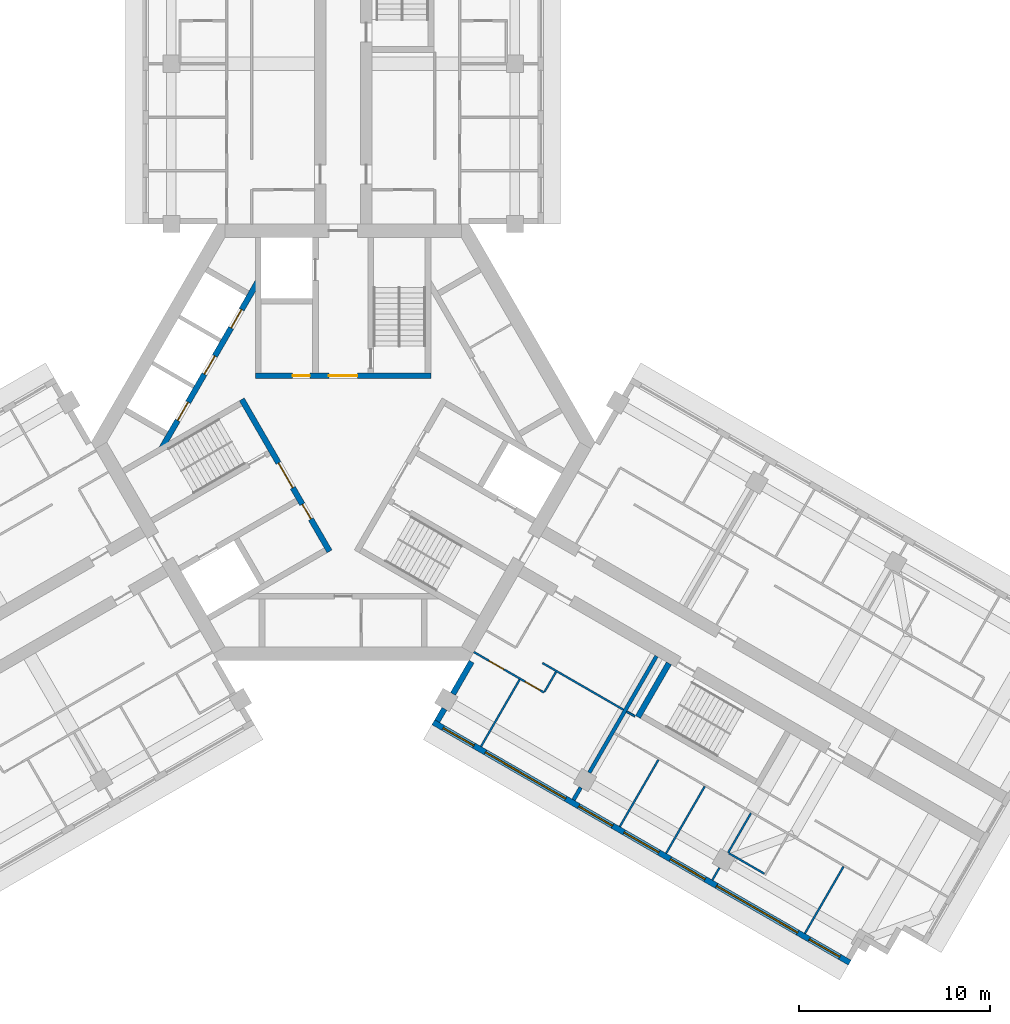
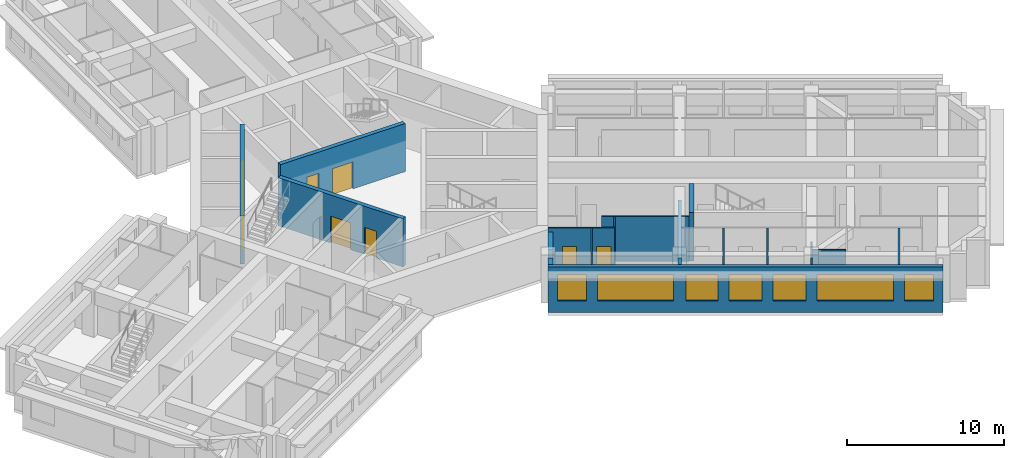
# One storey, part 4 of 11: 20 walls, 9 doors, 7 windows, 16 openings.
"""IFC4 building model written with IfcOpenShell, lengths in metres."""

from ifc_helpers import new_model, si_unit, direction, frame, frame_2d, origin, place, context, subcontext, project, spatial, rectangle, extrude, material, layer, layer_set, type_object, element, fill, save


model = new_model("IFC4")

# Units and contexts
model_context = context("Model", 3, precision=1e-05, world=origin(), true_north=direction((0.0, 1.0)))
body_context = subcontext(model_context, "Body", "Model", "MODEL_VIEW")
ifc_project = project(units=[si_unit("LENGTHUNIT", "METRE"), si_unit("AREAUNIT", "SQUARE_METRE"), si_unit("VOLUMEUNIT", "CUBIC_METRE"), si_unit("PLANEANGLEUNIT", "RADIAN"), si_unit("MASSUNIT", "GRAM", prefix="KILO")], contexts=[model_context])

# Site, building, storey
site_placement = place(None, origin())
site = spatial("IfcSite", under=ifc_project, at=site_placement, CompositionType="ELEMENT")
building_placement = place(site_placement, origin())
building = spatial("IfcBuilding", under=site, at=building_placement, Name="Impinga Residences", CompositionType="ELEMENT")
storey_placement = place(building_placement, frame((0.0, 0.0, 244.75)))
storey = spatial("IfcBuildingStorey", under=building, at=storey_placement, Name="L61", CompositionType="ELEMENT", Elevation=244.75)

# Wall, openings, windows
ifc_material_1 = material(Name="Terracotta rainscreen on blockwork", Category="masonry")
ifc_layer_1 = layer(ifc_material_1, 0.300048828125)
ifc_layer_set_1 = layer_set([ifc_layer_1], Name="EW1 external wall, terracotta rainscreen on blockwork 300")
wall_type_1 = type_object("IfcWallType", Name="EW1 external wall, terracotta rainscreen on blockwork 300", PredefinedType="SOLIDWALL", material=ifc_layer_set_1)
wall_1_placement = place(storey_placement, frame((26.548828125, -27.279052734375, 0.0), z_axis=(0.0, 0.0, 1.0), x_axis=(-0.866026832479, 0.499997525421, 0.0)))
wall_1 = element("IfcWall", 1, at=wall_1_placement, inside=storey, type_object=wall_type_1, Name="External wall EW1 L61", PredefinedType="SOLIDWALL", context=body_context, shape_type="SweptSolid", body=[
    extrude(rectangle(XDim=25.199951171875, YDim=0.300048828125, at=frame_2d((12.60009765625, 0.0))), origin(), (0.0, 0.0, 1.0), 3.530029296875),
])
opening_1_placement = place(wall_1_placement, frame((0.60009765625, 0.0, 0.89990234375)))
opening_1 = element("IfcOpeningElement", 2, at=opening_1_placement, cuts=wall_1, Name="Opening W15", PredefinedType="OPENING", context=body_context, shape_type="SweptSolid", body=[
    extrude(rectangle(XDim=1.85009765625, YDim=2.050048828125, at=frame_2d((0.925048828125, 1.02490234375))), frame((0.0, 0.159912109375, 0.0), z_axis=(0.0, -1.0, 0.0), x_axis=(1.0, 0.0, 0.0)), (0.0, 0.0, 1.0), 0.320068359375),
])
opening_2_placement = place(wall_1_placement, frame((3.14990234375, 0.0, 0.89990234375)))
opening_2 = element("IfcOpeningElement", 3, at=opening_2_placement, cuts=wall_1, Name="Opening W16", PredefinedType="OPENING", context=body_context, shape_type="SweptSolid", body=[
    extrude(rectangle(XDim=4.89990234375, YDim=2.050048828125, at=frame_2d((2.449951171875, 1.02490234375))), frame((0.0, 0.159912109375, 0.0), z_axis=(0.0, -1.0, 0.0), x_axis=(1.0, 0.0, 0.0)), (0.0, 0.0, 1.0), 0.320068359375),
])
opening_3_placement = place(wall_1_placement, frame((8.75, 0.0, 0.89990234375)))
opening_3 = element("IfcOpeningElement", 4, at=opening_3_placement, cuts=wall_1, Name="Opening W9", PredefinedType="OPENING", context=body_context, shape_type="SweptSolid", body=[
    extrude(rectangle(XDim=2.10009765625, YDim=2.050048828125, at=frame_2d((1.050048828125, 1.02490234375))), frame((0.0, 0.159912109375, 0.0), z_axis=(0.0, -1.0, 0.0), x_axis=(1.0, 0.0, 0.0)), (0.0, 0.0, 1.0), 0.320068359375),
])
opening_4_placement = place(wall_1_placement, frame((11.550048828125, 0.0, 0.89990234375)))
opening_4 = element("IfcOpeningElement", 5, at=opening_4_placement, cuts=wall_1, Name="Opening W9", PredefinedType="OPENING", context=body_context, shape_type="SweptSolid", body=[
    extrude(rectangle(XDim=2.10009765625, YDim=2.050048828125, at=frame_2d((1.050048828125, 1.02490234375))), frame((0.0, 0.159912109375, 0.0), z_axis=(0.0, -1.0, 0.0), x_axis=(1.0, 0.0, 0.0)), (0.0, 0.0, 1.0), 0.320068359375),
])
opening_5_placement = place(wall_1_placement, frame((14.35009765625, 0.0, 0.89990234375)))
opening_5 = element("IfcOpeningElement", 6, at=opening_5_placement, cuts=wall_1, Name="Opening W14", PredefinedType="OPENING", context=body_context, shape_type="SweptSolid", body=[
    extrude(rectangle(XDim=2.050048828125, YDim=2.050048828125, at=frame_2d((1.02490234375, 1.02490234375))), frame((0.0, 0.159912109375, 0.0), z_axis=(0.0, -1.0, 0.0), x_axis=(1.0, 0.0, 0.0)), (0.0, 0.0, 1.0), 0.320068359375),
])
opening_6_placement = place(wall_1_placement, frame((17.199951171875, 0.0, 0.89990234375)))
opening_6 = element("IfcOpeningElement", 7, at=opening_6_placement, cuts=wall_1, Name="Opening W6", PredefinedType="OPENING", context=body_context, shape_type="SweptSolid", body=[
    extrude(rectangle(XDim=4.85009765625, YDim=2.050048828125, at=frame_2d((2.425048828125, 1.02490234375))), frame((0.0, 0.159912109375, 0.0), z_axis=(0.0, -1.0, 0.0), x_axis=(1.0, 0.0, 0.0)), (0.0, 0.0, 1.0), 0.320068359375),
])
opening_7_placement = place(wall_1_placement, frame((22.75, 0.0, 0.89990234375)))
opening_7 = element("IfcOpeningElement", 8, at=opening_7_placement, cuts=wall_1, Name="Opening W15", PredefinedType="OPENING", context=body_context, shape_type="SweptSolid", body=[
    extrude(rectangle(XDim=1.85009765625, YDim=2.050048828125, at=frame_2d((0.925048828125, 1.02490234375))), frame((0.0, 0.159912109375, 0.0), z_axis=(0.0, -1.0, 0.0), x_axis=(1.0, 0.0, 0.0)), (0.0, 0.0, 1.0), 0.320068359375),
])
ifc_material_2 = material(Name="Aluminium window, clear double glazing", Category="aluminium")
window_type_1 = type_object("IfcWindowType", Name="W14 ribbon window 2050x2050", PartitioningType="SINGLE_PANEL", PredefinedType="WINDOW", material=ifc_material_2)
window_1_placement = place(opening_5_placement, origin())
window_1 = element("IfcWindow", 9, at=window_1_placement, inside=storey, type_object=window_type_1, Name="Window L61", OverallHeight=2.050048828125, OverallWidth=2.050048828125, PartitioningType="SINGLE_PANEL", PredefinedType="WINDOW", context=body_context, shape_type="SweptSolid", body=[
    extrude(rectangle(XDim=2.050048828125, YDim=2.050048828125, at=frame_2d((1.02490234375, 1.02490234375))), frame((0.0, 0.030029296875, 0.0), z_axis=(0.0, -1.0, 0.0), x_axis=(1.0, 0.0, 0.0)), (0.0, 0.0, 1.0), 0.06005859375),
])
fill(opening_5, window_1)
window_type_2 = type_object("IfcWindowType", Name="W15 ribbon window 1850x2050", PartitioningType="SINGLE_PANEL", PredefinedType="WINDOW", material=ifc_material_2)
window_2_placement = place(opening_1_placement, origin())
window_2 = element("IfcWindow", 10, at=window_2_placement, inside=storey, type_object=window_type_2, Name="Window L61", OverallHeight=2.050048828125, OverallWidth=1.85009765625, PartitioningType="SINGLE_PANEL", PredefinedType="WINDOW", context=body_context, shape_type="SweptSolid", body=[
    extrude(rectangle(XDim=1.85009765625, YDim=2.050048828125, at=frame_2d((0.925048828125, 1.02490234375))), frame((0.0, 0.030029296875, 0.0), z_axis=(0.0, -1.0, 0.0), x_axis=(1.0, 0.0, 0.0)), (0.0, 0.0, 1.0), 0.06005859375),
])
fill(opening_1, window_2)
window_3_placement = place(opening_7_placement, origin())
window_3 = element("IfcWindow", 11, at=window_3_placement, inside=storey, type_object=window_type_2, Name="Window L61", OverallHeight=2.050048828125, OverallWidth=1.85009765625, PartitioningType="SINGLE_PANEL", PredefinedType="WINDOW", context=body_context, shape_type="SweptSolid", body=[
    extrude(rectangle(XDim=1.85009765625, YDim=2.050048828125, at=frame_2d((0.925048828125, 1.02490234375))), frame((0.0, 0.030029296875, 0.0), z_axis=(0.0, -1.0, 0.0), x_axis=(1.0, 0.0, 0.0)), (0.0, 0.0, 1.0), 0.06005859375),
])
fill(opening_7, window_3)
window_type_3 = type_object("IfcWindowType", Name="W16 ribbon window 4900x2050", PartitioningType="SINGLE_PANEL", PredefinedType="WINDOW", material=ifc_material_2)
window_4_placement = place(opening_2_placement, origin())
window_4 = element("IfcWindow", 12, at=window_4_placement, inside=storey, type_object=window_type_3, Name="Window L61", OverallHeight=2.050048828125, OverallWidth=4.89990234375, PartitioningType="SINGLE_PANEL", PredefinedType="WINDOW", context=body_context, shape_type="SweptSolid", body=[
    extrude(rectangle(XDim=4.89990234375, YDim=2.050048828125, at=frame_2d((2.449951171875, 1.02490234375))), frame((0.0, 0.030029296875, 0.0), z_axis=(0.0, -1.0, 0.0), x_axis=(1.0, 0.0, 0.0)), (0.0, 0.0, 1.0), 0.06005859375),
])
fill(opening_2, window_4)
window_type_4 = type_object("IfcWindowType", Name="W6 ribbon window 4850x2050", PartitioningType="SINGLE_PANEL", PredefinedType="WINDOW", material=ifc_material_2)
window_5_placement = place(opening_6_placement, origin())
window_5 = element("IfcWindow", 13, at=window_5_placement, inside=storey, type_object=window_type_4, Name="Window L61", OverallHeight=2.050048828125, OverallWidth=4.85009765625, PartitioningType="SINGLE_PANEL", PredefinedType="WINDOW", context=body_context, shape_type="SweptSolid", body=[
    extrude(rectangle(XDim=4.85009765625, YDim=2.050048828125, at=frame_2d((2.425048828125, 1.02490234375))), frame((0.0, 0.030029296875, 0.0), z_axis=(0.0, -1.0, 0.0), x_axis=(1.0, 0.0, 0.0)), (0.0, 0.0, 1.0), 0.06005859375),
])
fill(opening_6, window_5)
window_type_5 = type_object("IfcWindowType", Name="W9 ribbon window 2100x2050", PartitioningType="SINGLE_PANEL", PredefinedType="WINDOW", material=ifc_material_2)
window_6_placement = place(opening_3_placement, origin())
window_6 = element("IfcWindow", 14, at=window_6_placement, inside=storey, type_object=window_type_5, Name="Window L61", OverallHeight=2.050048828125, OverallWidth=2.10009765625, PartitioningType="SINGLE_PANEL", PredefinedType="WINDOW", context=body_context, shape_type="SweptSolid", body=[
    extrude(rectangle(XDim=2.10009765625, YDim=2.050048828125, at=frame_2d((1.050048828125, 1.02490234375))), frame((0.0, 0.030029296875, 0.0), z_axis=(0.0, -1.0, 0.0), x_axis=(1.0, 0.0, 0.0)), (0.0, 0.0, 1.0), 0.06005859375),
])
fill(opening_3, window_6)
window_7_placement = place(opening_4_placement, origin())
window_7 = element("IfcWindow", 15, at=window_7_placement, inside=storey, type_object=window_type_5, Name="Window L61", OverallHeight=2.050048828125, OverallWidth=2.10009765625, PartitioningType="SINGLE_PANEL", PredefinedType="WINDOW", context=body_context, shape_type="SweptSolid", body=[
    extrude(rectangle(XDim=2.10009765625, YDim=2.050048828125, at=frame_2d((1.050048828125, 1.02490234375))), frame((0.0, 0.030029296875, 0.0), z_axis=(0.0, -1.0, 0.0), x_axis=(1.0, 0.0, 0.0)), (0.0, 0.0, 1.0), 0.06005859375),
])
fill(opening_4, window_7)

# Walls
wall_2_placement = place(storey_placement, frame((4.929931640625, -14.624267578125, 0.0), z_axis=(0.0, 0.0, 1.0), x_axis=(0.499919672301, 0.866071776036, 0.0)))
element("IfcWall", 16, at=wall_2_placement, inside=storey, type_object=wall_type_1, Name="External wall EW1 L61", PredefinedType="SOLIDWALL", context=body_context, shape_type="SweptSolid", body=[
    extrude(rectangle(XDim=0.75, YDim=0.300048828125, at=frame_2d((0.375, 0.0))), origin(), (0.0, 0.0, 1.0), 3.530029296875),
])
wall_3_placement = place(storey_placement, frame((5.7548828125, -13.1953125, 0.0), z_axis=(0.0, 0.0, 1.0), x_axis=(0.500043961785, 0.866000020948, 0.0)))
element("IfcWall", 17, at=wall_3_placement, inside=storey, type_object=wall_type_1, Name="External wall EW1 L61", PredefinedType="SOLIDWALL", context=body_context, shape_type="SweptSolid", body=[
    extrude(rectangle(XDim=1.949951171875, YDim=0.300048828125, at=frame_2d((0.97509765625, 0.0))), origin(), (0.0, 0.0, 1.0), 3.530029296875),
])
ifc_material_3 = material(Name="Gypsum board on steel studs", Category="steel")
ifc_layer_2 = layer(ifc_material_3, 0.10009765625)
ifc_layer_set_2 = layer_set([ifc_layer_2], Name="Gypsum board on steel studs")
wall_type_2 = type_object("IfcWallType", Name="IP1 partition 100", PredefinedType="PARTITIONING", material=ifc_layer_set_2)
wall_4_placement = place(storey_placement, frame((10.444580078125, -11.57275390625, 0.0), z_axis=(0.0, 0.0, 1.0), x_axis=(0.866023786258, -0.500002801628, 0.0)))
element("IfcWall", 18, at=wall_4_placement, inside=storey, type_object=wall_type_2, Name="Partition L61-EF1:DIV1", PredefinedType="PARTITIONING", context=body_context, shape_type="SweptSolid", body=[
    extrude(rectangle(XDim=4.89990234375, YDim=0.10009765625, at=frame_2d((2.449951171875, 0.0))), origin(), (0.0, 0.0, 1.0), 3.530029296875),
])

# Wall, openings, doors
wall_5_placement = place(storey_placement, frame((6.85009765625, -10.99853515625, 0.0), z_axis=(0.0, 0.0, 1.0), x_axis=(0.866014341725, -0.50001915956, 0.0)))
wall_5 = element("IfcWall", 19, at=wall_5_placement, inside=storey, type_object=wall_type_2, Name="Partition L61-EF1:STRIP", PredefinedType="PARTITIONING", context=body_context, shape_type="SweptSolid", body=[
    extrude(rectangle(XDim=4.249755859375, YDim=0.10009765625, at=frame_2d((2.125, 0.0))), origin(), (0.0, 0.0, 1.0), 3.530029296875),
])
opening_8_placement = place(wall_5_placement, frame((0.925048828125, 0.0, 0.0)))
opening_8 = element("IfcOpeningElement", 20, at=opening_8_placement, cuts=wall_5, Name="Opening D2", PredefinedType="OPENING", context=body_context, shape_type="SweptSolid", body=[
    extrude(rectangle(XDim=0.89990234375, YDim=2.10009765625, at=frame_2d((0.449951171875, 1.050048828125))), frame((0.0, 0.06005859375, 0.0), z_axis=(0.0, -1.0, 0.0), x_axis=(1.0, 0.0, 0.0)), (0.0, 0.0, 1.0), 0.1201171875),
])
opening_9_placement = place(wall_5_placement, frame((3.10009765625, 0.0, 0.0)))
opening_9 = element("IfcOpeningElement", 21, at=opening_9_placement, cuts=wall_5, Name="Opening D2", PredefinedType="OPENING", context=body_context, shape_type="SweptSolid", body=[
    extrude(rectangle(XDim=0.89990234375, YDim=2.10009765625, at=frame_2d((0.449951171875, 1.050048828125))), frame((0.0, 0.06005859375, 0.0), z_axis=(0.0, -1.0, 0.0), x_axis=(1.0, 0.0, 0.0)), (0.0, 0.0, 1.0), 0.1201171875),
])
ifc_material_4 = material(Name="Timber door set", Category="wood")
door_type_1 = type_object("IfcDoorType", Name="D2 internal door 900x2100", OperationType="SINGLE_SWING_LEFT", PredefinedType="DOOR", material=ifc_material_4)
door_1_placement = place(opening_8_placement, origin())
door_1 = element("IfcDoor", 22, at=door_1_placement, inside=storey, type_object=door_type_1, Name="Apartment L61-EF1 room door", OperationType="SINGLE_SWING_LEFT", OverallHeight=2.10009765625, OverallWidth=0.89990234375, PredefinedType="DOOR", context=body_context, shape_type="SweptSolid", body=[
    extrude(rectangle(XDim=0.89990234375, YDim=2.10009765625, at=frame_2d((0.449951171875, 1.050048828125))), frame((0.0, 0.02490234375, 0.0), z_axis=(0.0, -1.0, 0.0), x_axis=(1.0, 0.0, 0.0)), (0.0, 0.0, 1.0), 0.050048828125),
])
fill(opening_8, door_1)
door_2_placement = place(opening_9_placement, origin())
door_2 = element("IfcDoor", 23, at=door_2_placement, inside=storey, type_object=door_type_1, Name="Apartment L61-EF1 room door", OperationType="SINGLE_SWING_RIGHT", OverallHeight=2.10009765625, OverallWidth=0.89990234375, PredefinedType="DOOR", context=body_context, shape_type="SweptSolid", body=[
    extrude(rectangle(XDim=0.89990234375, YDim=2.10009765625, at=frame_2d((0.449951171875, 1.050048828125))), frame((0.0, 0.02490234375, 0.0), z_axis=(0.0, -1.0, 0.0), x_axis=(1.0, 0.0, 0.0)), (0.0, 0.0, 1.0), 0.050048828125),
])
fill(opening_9, door_2)

# Walls
wall_6_placement = place(storey_placement, frame((11.155517578125, -12.041015625, 0.0), z_axis=(0.0, 0.0, 1.0), x_axis=(-0.499880961361, -0.866094119867, 0.0)))
element("IfcWall", 24, at=wall_6_placement, inside=storey, type_object=wall_type_2, Name="Partition L61-EF1:SE1", PredefinedType="PARTITIONING", context=body_context, shape_type="SweptSolid", body=[
    extrude(rectangle(XDim=1.199951171875, YDim=0.10009765625, at=frame_2d((0.60009765625, 0.0))), origin(), (0.0, 0.0, 1.0), 3.530029296875),
])
wall_7_placement = place(storey_placement, frame((9.249755859375, -12.44189453125, 0.0), z_axis=(0.0, 0.0, 1.0), x_axis=(-0.499990325971, -0.866030989016, 0.0)))
element("IfcWall", 25, at=wall_7_placement, inside=storey, type_object=wall_type_2, Name="Partition L61-EF1:OB1", PredefinedType="PARTITIONING", context=body_context, shape_type="SweptSolid", body=[
    extrude(rectangle(XDim=4.0498046875, YDim=0.10009765625, at=frame_2d((2.02490234375, 0.0))), origin(), (0.0, 0.0, 1.0), 3.530029296875),
])
wall_8_placement = place(storey_placement, frame((14.861328125, -14.122802734375, 0.0), z_axis=(0.0, 0.0, 1.0), x_axis=(0.865949687125, -0.500131122175, 0.0)))
element("IfcWall", 26, at=wall_8_placement, inside=storey, type_object=wall_type_2, Name="Partition L61-EF2:DIV0", PredefinedType="PARTITIONING", context=body_context, shape_type="SweptSolid", body=[
    extrude(rectangle(XDim=0.499755859375, YDim=0.10009765625, at=frame_2d((0.25, 0.0))), origin(), (0.0, 0.0, 1.0), 3.530029296875),
])
wall_9_placement = place(storey_placement, frame((16.5244140625, -16.641845703125, 0.0), z_axis=(0.0, 0.0, 1.0), x_axis=(-0.499990325971, -0.866030989016, 0.0)))
element("IfcWall", 27, at=wall_9_placement, inside=storey, type_object=wall_type_2, Name="Partition L61-EF2:OB1", PredefinedType="PARTITIONING", context=body_context, shape_type="SweptSolid", body=[
    extrude(rectangle(XDim=4.0498046875, YDim=0.10009765625, at=frame_2d((2.02490234375, 0.0))), origin(), (0.0, 0.0, 1.0), 3.530029296875),
])
wall_10_placement = place(storey_placement, frame((18.949462890625, -18.041748046875, 0.0), z_axis=(0.0, 0.0, 1.0), x_axis=(-0.50000943426, -0.866019956843, 0.0)))
element("IfcWall", 28, at=wall_10_placement, inside=storey, type_object=wall_type_2, Name="Partition L61-EF2:OB2", PredefinedType="PARTITIONING", context=body_context, shape_type="SweptSolid", body=[
    extrude(rectangle(XDim=4.05029296875, YDim=0.10009765625, at=frame_2d((2.025146484375, 0.0))), origin(), (0.0, 0.0, 1.0), 3.530029296875),
])
wall_11_placement = place(storey_placement, frame((21.374267578125, -19.44189453125, 0.0), z_axis=(0.0, 0.0, 1.0), x_axis=(-0.500001309137, -0.866024647952, 0.0)))
element("IfcWall", 29, at=wall_11_placement, inside=storey, type_object=wall_type_2, Name="Partition L61-EF2:OB3", PredefinedType="PARTITIONING", context=body_context, shape_type="SweptSolid", body=[
    extrude(rectangle(XDim=2.39990234375, YDim=0.10009765625, at=frame_2d((1.199951171875, 0.0))), origin(), (0.0, 0.0, 1.0), 2.47998046875),
])
wall_12_placement = place(storey_placement, frame((19.72412109375, -22.2998046875, 0.0), z_axis=(0.0, 0.0, 1.0), x_axis=(-0.500060622324, -0.86599040064, 0.0)))
element("IfcWall", 30, at=wall_12_placement, inside=storey, type_object=wall_type_2, Name="Partition L61-EF2:OB3b", PredefinedType="PARTITIONING", context=body_context, shape_type="SweptSolid", body=[
    extrude(rectangle(XDim=0.75, YDim=0.10009765625, at=frame_2d((0.375, 0.0))), origin(), (0.0, 0.0, 1.0), 3.530029296875),
])
wall_13_placement = place(storey_placement, frame((26.223876953125, -22.241943359375, 0.0), z_axis=(0.0, 0.0, 1.0), x_axis=(-0.499990325971, -0.866030989016, 0.0)))
element("IfcWall", 31, at=wall_13_placement, inside=storey, type_object=wall_type_2, Name="Partition L61-EF2:OB4", PredefinedType="PARTITIONING", context=body_context, shape_type="SweptSolid", body=[
    extrude(rectangle(XDim=4.0498046875, YDim=0.10009765625, at=frame_2d((2.02490234375, 0.0))), origin(), (0.0, 0.0, 1.0), 3.530029296875),
])
wall_14_placement = place(storey_placement, frame((20.217529296875, -21.545166015625, 0.0), z_axis=(0.0, 0.0, 1.0), x_axis=(0.865998386012, -0.500046793234, 0.0)))
element("IfcWall", 32, at=wall_14_placement, inside=storey, type_object=wall_type_2, Name="Partition L61-EF2:EN2", PredefinedType="PARTITIONING", context=body_context, shape_type="SweptSolid", body=[
    extrude(rectangle(XDim=2.150146484375, YDim=0.10009765625, at=frame_2d((1.0751953125, 0.0))), origin(), (0.0, 0.0, 1.0), 3.530029296875),
])
ifc_material_5 = material(Name="Concrete blockwork", Category="masonry")
ifc_layer_3 = layer(ifc_material_5, 0.199951171875)
ifc_layer_set_3 = layer_set([ifc_layer_3], Name="PW1 party wall between apartments 200")
wall_type_3 = type_object("IfcWallType", Name="PW1 party wall between apartments 200", PredefinedType="SOLIDWALL", material=ifc_layer_set_3)
wall_15_placement = place(storey_placement, frame((16.424560546875, -11.21484375, 0.0), z_axis=(0.0, 0.0, 1.0), x_axis=(-0.499990246421, -0.866031034943, 0.0)))
element("IfcWall", 33, at=wall_15_placement, inside=storey, type_object=wall_type_3, Name="Party wall between apartments L61-EF1:PARTY", PredefinedType="SOLIDWALL", context=body_context, shape_type="SweptSolid", body=[
    extrude(rectangle(XDim=7.050048828125, YDim=0.199951171875, at=frame_2d((3.52490234375, 0.0))), origin(), (0.0, 0.0, 1.0), 2.47998046875),
])
wall_16_placement = place(storey_placement, frame((12.44970703125, -18.099609375, 0.0), z_axis=(0.0, 0.0, 1.0), x_axis=(-0.499919672301, -0.866071776036, 0.0)))
element("IfcWall", 34, at=wall_16_placement, inside=storey, type_object=wall_type_3, Name="Party wall between apartments L61-EF1:PARTYb", PredefinedType="SOLIDWALL", context=body_context, shape_type="SweptSolid", body=[
    extrude(rectangle(XDim=0.75, YDim=0.199951171875, at=frame_2d((0.375, 0.0))), origin(), (0.0, 0.0, 1.0), 3.530029296875),
])
ifc_material_6 = material(Name="Concrete C60/75", Category="concrete")
ifc_layer_4 = layer(ifc_material_6, 0.300048828125)
ifc_layer_set_4 = layer_set([ifc_layer_4], Name="Concrete C60/75")
wall_type_4 = type_object("IfcWallType", Name="SE1 wing stair enclosure wall 300", PredefinedType="SOLIDWALL", material=ifc_layer_set_4)
wall_17_placement = place(storey_placement, frame((17.07421875, -11.58984375, 0.0), z_axis=(0.0, 0.0, 1.0), x_axis=(-0.500017246033, -0.866015446554, 0.0)))
element("IfcWall", 35, at=wall_17_placement, inside=storey, type_object=wall_type_4, Name="Stair enclosure wall SE1 E END0 L61", PredefinedType="SOLIDWALL", context=body_context, shape_type="SweptSolid", body=[
    extrude(rectangle(XDim=3.25, YDim=0.300048828125, at=frame_2d((1.625, 0.0))), origin(), (0.0, 0.0, 1.0), 3.75),
])

# Wall, openings, doors
ifc_material_7 = material(Name="Concrete C70/85", Category="concrete")
ifc_layer_5 = layer(ifc_material_7, 0.300048828125)
ifc_layer_set_5 = layer_set([ifc_layer_5], Name="Concrete C70/85")
wall_type_5 = type_object("IfcWallType", Name="SW5 core inner wall, stairs, shafts and lobbies 300", PredefinedType="SHEAR", material=ifc_layer_set_5)
wall_18_placement = place(storey_placement, frame((-4.60009765625, 3.47998046875, 0.0), z_axis=(0.0, 0.0, 1.0), x_axis=(1.0, 0.0, 0.0)))
wall_18 = element("IfcWall", 36, at=wall_18_placement, inside=storey, type_object=wall_type_5, Name="Core wall SW5 N:ZONE L61", PredefinedType="SHEAR", context=body_context, shape_type="SweptSolid", body=[
    extrude(rectangle(XDim=9.2001953125, YDim=0.300048828125, at=frame_2d((4.60009765625, 0.0))), origin(), (0.0, 0.0, 1.0), 3.75),
])
opening_10_placement = place(wall_18_placement, frame((3.85009765625, 0.0, 0.0)))
opening_10 = element("IfcOpeningElement", 37, at=opening_10_placement, cuts=wall_18, Name="Opening D4", PredefinedType="OPENING", context=body_context, shape_type="SweptSolid", body=[
    extrude(rectangle(XDim=1.5, YDim=2.10009765625, at=frame_2d((0.75, 1.050048828125))), frame((0.0, 0.159912109375, 0.0), z_axis=(0.0, -1.0, 0.0), x_axis=(1.0, 0.0, 0.0)), (0.0, 0.0, 1.0), 0.320068359375),
])
opening_11_placement = place(wall_18_placement, frame((1.949951171875, 0.0, 0.0)))
opening_11 = element("IfcOpeningElement", 38, at=opening_11_placement, cuts=wall_18, Name="Opening D6", PredefinedType="OPENING", context=body_context, shape_type="SweptSolid", body=[
    extrude(rectangle(XDim=0.89990234375, YDim=2.10009765625, at=frame_2d((0.449951171875, 1.050048828125))), frame((0.0, 0.159912109375, 0.0), z_axis=(0.0, -1.0, 0.0), x_axis=(1.0, 0.0, 0.0)), (0.0, 0.0, 1.0), 0.320068359375),
])
door_type_2 = type_object("IfcDoorType", Name="D4 lobby door pair 1500x2100", OperationType="DOUBLE_DOOR_DOUBLE_SWING", PredefinedType="DOOR", material=ifc_material_4)
door_3_placement = place(opening_10_placement, origin())
door_3 = element("IfcDoor", 39, at=door_3_placement, inside=storey, type_object=door_type_2, Name="Firefighting lobby door N", OperationType="DOUBLE_DOOR_DOUBLE_SWING", OverallHeight=2.10009765625, OverallWidth=1.5, PredefinedType="DOOR", context=body_context, shape_type="SweptSolid", body=[
    extrude(rectangle(XDim=1.5, YDim=2.10009765625, at=frame_2d((0.75, 1.050048828125))), frame((0.0, 0.02490234375, 0.0), z_axis=(0.0, -1.0, 0.0), x_axis=(1.0, 0.0, 0.0)), (0.0, 0.0, 1.0), 0.050048828125),
])
fill(opening_10, door_3)
door_type_3 = type_object("IfcDoorType", Name="D6 riser and store door 900x2100", OperationType="SINGLE_SWING_LEFT", PredefinedType="DOOR", material=ifc_material_4)
door_4_placement = place(opening_11_placement, origin())
door_4 = element("IfcDoor", 40, at=door_4_placement, inside=storey, type_object=door_type_3, Name="Riser door N", OperationType="SINGLE_SWING_LEFT", OverallHeight=2.10009765625, OverallWidth=0.89990234375, PredefinedType="DOOR", context=body_context, shape_type="SweptSolid", body=[
    extrude(rectangle(XDim=0.89990234375, YDim=2.10009765625, at=frame_2d((0.449951171875, 1.050048828125))), frame((0.0, 0.02490234375, 0.0), z_axis=(0.0, -1.0, 0.0), x_axis=(1.0, 0.0, 0.0)), (0.0, 0.0, 1.0), 0.050048828125),
])
fill(opening_11, door_4)

wall_19_placement = place(storey_placement, frame((-0.7138671875, -5.7236328125, 0.0), z_axis=(0.0, 0.0, 1.0), x_axis=(-0.499995050369, 0.866028261437, 0.0)))
wall_19 = element("IfcWall", 41, at=wall_19_placement, inside=storey, type_object=wall_type_5, Name="Core wall SW5 W:ZONE L61", PredefinedType="SHEAR", context=body_context, shape_type="SweptSolid", body=[
    extrude(rectangle(XDim=9.19970703125, YDim=0.300048828125, at=frame_2d((4.599853515625, 0.0))), origin(), (0.0, 0.0, 1.0), 3.75),
])
opening_12_placement = place(wall_19_placement, frame((3.85009765625, 0.0, 0.0)))
opening_12 = element("IfcOpeningElement", 42, at=opening_12_placement, cuts=wall_19, Name="Opening D4", PredefinedType="OPENING", context=body_context, shape_type="SweptSolid", body=[
    extrude(rectangle(XDim=1.5, YDim=2.10009765625, at=frame_2d((0.75, 1.050048828125))), frame((0.0, 0.159912109375, 0.0), z_axis=(0.0, -1.0, 0.0), x_axis=(1.0, 0.0, 0.0)), (0.0, 0.0, 1.0), 0.320068359375),
])
opening_13_placement = place(wall_19_placement, frame((1.949951171875, 0.0, 0.0)))
opening_13 = element("IfcOpeningElement", 43, at=opening_13_placement, cuts=wall_19, Name="Opening D6", PredefinedType="OPENING", context=body_context, shape_type="SweptSolid", body=[
    extrude(rectangle(XDim=0.89990234375, YDim=2.10009765625, at=frame_2d((0.449951171875, 1.050048828125))), frame((0.0, 0.159912109375, 0.0), z_axis=(0.0, -1.0, 0.0), x_axis=(1.0, 0.0, 0.0)), (0.0, 0.0, 1.0), 0.320068359375),
])
door_5_placement = place(opening_12_placement, origin())
door_5 = element("IfcDoor", 44, at=door_5_placement, inside=storey, type_object=door_type_2, Name="Firefighting lobby door W", OperationType="DOUBLE_DOOR_DOUBLE_SWING", OverallHeight=2.10009765625, OverallWidth=1.5, PredefinedType="DOOR", context=body_context, shape_type="SweptSolid", body=[
    extrude(rectangle(XDim=1.5, YDim=2.10009765625, at=frame_2d((0.75, 1.050048828125))), frame((0.0, 0.02490234375, 0.0), z_axis=(0.0, -1.0, 0.0), x_axis=(1.0, 0.0, 0.0)), (0.0, 0.0, 1.0), 0.050048828125),
])
fill(opening_12, door_5)
door_6_placement = place(opening_13_placement, origin())
door_6 = element("IfcDoor", 45, at=door_6_placement, inside=storey, type_object=door_type_3, Name="Riser door W", OperationType="SINGLE_SWING_LEFT", OverallHeight=2.10009765625, OverallWidth=0.89990234375, PredefinedType="DOOR", context=body_context, shape_type="SweptSolid", body=[
    extrude(rectangle(XDim=0.89990234375, YDim=2.10009765625, at=frame_2d((0.449951171875, 1.050048828125))), frame((0.0, 0.02490234375, 0.0), z_axis=(0.0, -1.0, 0.0), x_axis=(1.0, 0.0, 0.0)), (0.0, 0.0, 1.0), 0.050048828125),
])
fill(opening_13, door_6)

wall_20_placement = place(storey_placement, frame((-9.547607421875, -0.3740234375, 0.0), z_axis=(0.0, 0.0, 1.0), x_axis=(0.500002290144, 0.866024081565, 0.0)))
wall_20 = element("IfcWall", 46, at=wall_20_placement, inside=storey, type_object=wall_type_5, Name="Core wall SW5 E:BANK-FRONT L61", PredefinedType="SHEAR", context=body_context, shape_type="SweptSolid", body=[
    extrude(rectangle(XDim=10.1953125, YDim=0.300048828125, at=frame_2d((5.09765625, 0.0))), origin(), (0.0, 0.0, 1.0), 3.75),
])
opening_14_placement = place(wall_20_placement, frame((1.74755859375, 0.0, 0.0)))
opening_14 = element("IfcOpeningElement", 47, at=opening_14_placement, cuts=wall_20, Name="Opening LD1", PredefinedType="OPENING", context=body_context, shape_type="SweptSolid", body=[
    extrude(rectangle(XDim=1.10009765625, YDim=2.10009765625, at=frame_2d((0.550048828125, 1.050048828125))), frame((0.0, 0.159912109375, 0.0), z_axis=(0.0, -1.0, 0.0), x_axis=(1.0, 0.0, 0.0)), (0.0, 0.0, 1.0), 0.320068359375),
])
opening_15_placement = place(wall_20_placement, frame((4.547607421875, 0.0, 0.0)))
opening_15 = element("IfcOpeningElement", 48, at=opening_15_placement, cuts=wall_20, Name="Opening LD1", PredefinedType="OPENING", context=body_context, shape_type="SweptSolid", body=[
    extrude(rectangle(XDim=1.10009765625, YDim=2.10009765625, at=frame_2d((0.550048828125, 1.050048828125))), frame((0.0, 0.159912109375, 0.0), z_axis=(0.0, -1.0, 0.0), x_axis=(1.0, 0.0, 0.0)), (0.0, 0.0, 1.0), 0.320068359375),
])
opening_16_placement = place(wall_20_placement, frame((7.34765625, 0.0, 0.0)))
opening_16 = element("IfcOpeningElement", 49, at=opening_16_placement, cuts=wall_20, Name="Opening LD1", PredefinedType="OPENING", context=body_context, shape_type="SweptSolid", body=[
    extrude(rectangle(XDim=1.10009765625, YDim=2.10009765625, at=frame_2d((0.550048828125, 1.050048828125))), frame((0.0, 0.159912109375, 0.0), z_axis=(0.0, -1.0, 0.0), x_axis=(1.0, 0.0, 0.0)), (0.0, 0.0, 1.0), 0.320068359375),
])
ifc_material_8 = material(Name="Steel lift landing door", Category="steel")
door_type_4 = type_object("IfcDoorType", Name="LD1 passenger lift landing door 1100x2100", OperationType="DOUBLE_DOOR_SLIDING", PredefinedType="DOOR", material=ifc_material_8)
door_7_placement = place(opening_14_placement, origin())
door_7 = element("IfcDoor", 50, at=door_7_placement, inside=storey, type_object=door_type_4, Name="Lift landing door P7", OperationType="DOUBLE_DOOR_SLIDING", OverallHeight=2.10009765625, OverallWidth=1.10009765625, PredefinedType="DOOR", context=body_context, shape_type="SweptSolid", body=[
    extrude(rectangle(XDim=1.10009765625, YDim=2.10009765625, at=frame_2d((0.550048828125, 1.050048828125))), frame((0.0, 0.02490234375, 0.0), z_axis=(0.0, -1.0, 0.0), x_axis=(1.0, 0.0, 0.0)), (0.0, 0.0, 1.0), 0.050048828125),
])
fill(opening_14, door_7)
door_8_placement = place(opening_15_placement, origin())
door_8 = element("IfcDoor", 51, at=door_8_placement, inside=storey, type_object=door_type_4, Name="Lift landing door P8", OperationType="DOUBLE_DOOR_SLIDING", OverallHeight=2.10009765625, OverallWidth=1.10009765625, PredefinedType="DOOR", context=body_context, shape_type="SweptSolid", body=[
    extrude(rectangle(XDim=1.10009765625, YDim=2.10009765625, at=frame_2d((0.550048828125, 1.050048828125))), frame((0.0, 0.02490234375, 0.0), z_axis=(0.0, -1.0, 0.0), x_axis=(1.0, 0.0, 0.0)), (0.0, 0.0, 1.0), 0.050048828125),
])
fill(opening_15, door_8)
door_9_placement = place(opening_16_placement, origin())
door_9 = element("IfcDoor", 52, at=door_9_placement, inside=storey, type_object=door_type_4, Name="Lift landing door P9", OperationType="DOUBLE_DOOR_SLIDING", OverallHeight=2.10009765625, OverallWidth=1.10009765625, PredefinedType="DOOR", context=body_context, shape_type="SweptSolid", body=[
    extrude(rectangle(XDim=1.10009765625, YDim=2.10009765625, at=frame_2d((0.550048828125, 1.050048828125))), frame((0.0, 0.02490234375, 0.0), z_axis=(0.0, -1.0, 0.0), x_axis=(1.0, 0.0, 0.0)), (0.0, 0.0, 1.0), 0.050048828125),
])
fill(opening_16, door_9)

save(model, "model.ifc")
